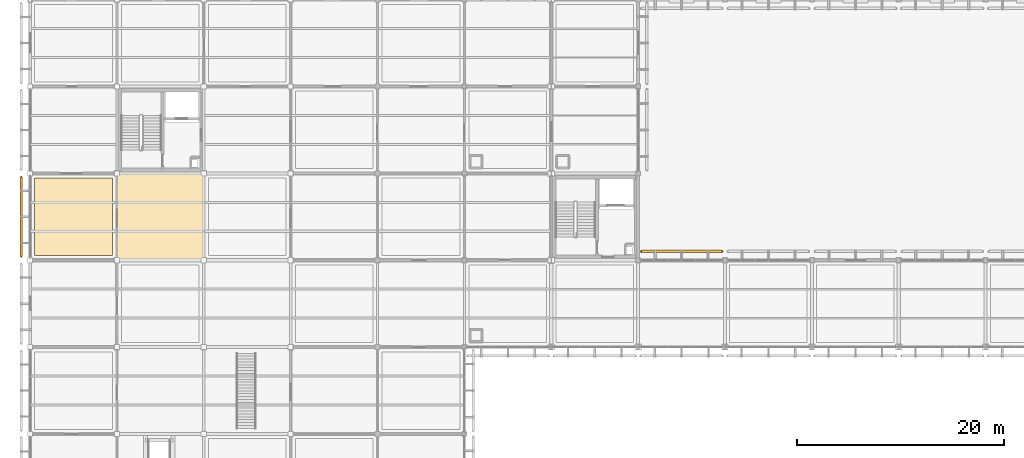
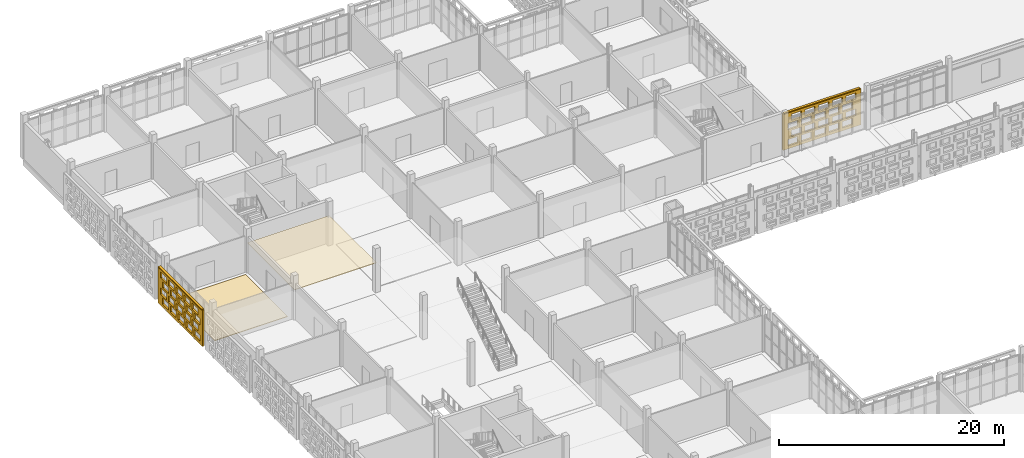
# One storey, part 161 of 203: 4 coverings, 2 shading devices, 40 openings.
"""IFC4 building model written with IfcOpenShell, lengths in metres."""

from ifc_helpers import new_model, si_unit, direction, frame, frame_2d, origin, origin_2d, place, context, subcontext, project, spatial, rectangle, extrude, material, layer, layer_set, type_object, element, save


model = new_model("IFC4")

# Units and contexts
model_context = context("Model", 3, precision=1e-05, world=origin(), true_north=direction((0.0, 1.0)))
body_context = subcontext(model_context, "Body", "Model", "MODEL_VIEW")
ifc_project = project(units=[si_unit("LENGTHUNIT", "METRE"), si_unit("AREAUNIT", "SQUARE_METRE"), si_unit("VOLUMEUNIT", "CUBIC_METRE"), si_unit("PLANEANGLEUNIT", "RADIAN"), si_unit("MASSUNIT", "GRAM", prefix="KILO")], contexts=[model_context])

# Site, building, storey
site_placement = place(None, origin())
site = spatial("IfcSite", under=ifc_project, at=site_placement, CompositionType="ELEMENT")
building_placement = place(site_placement, origin())
building = spatial("IfcBuilding", under=site, at=building_placement, Name="Varnapada Polytechnic", CompositionType="ELEMENT")
storey_placement = place(building_placement, frame((0.0, 0.0, 4.800048828125)))
storey = spatial("IfcBuildingStorey", under=building, at=storey_placement, Name="L01", CompositionType="ELEMENT", Elevation=4.800048828125)

# Coverings
ifc_material_1 = material(Name="Anti-Static Raised Laboratory Flooring")
ifc_layer_1 = layer(ifc_material_1, 0.06005859375)
ifc_layer_set_1 = layer_set([ifc_layer_1], Name="Anti-Static Raised Laboratory Flooring")
covering_type_1 = type_object("IfcCoveringType", Name="Floor Finish FLR-02", PredefinedType="FLOORING", material=ifc_layer_set_1)
covering_1_placement = place(storey_placement, frame((4.199951171875, 96.60009765625, 0.0), z_axis=(0.0, 0.0, 1.0), x_axis=(1.0, 0.0, 0.0)))
element("IfcCovering", 1, at=covering_1_placement, inside=storey, type_object=covering_type_1, Name="L01 floor finish panel (1,12)", PredefinedType="FLOORING", context=body_context, shape_type="SweptSolid", body=[
    extrude(rectangle(XDim=7.5, YDim=7.5, at=origin_2d()), origin(), (0.0, 0.0, 1.0), 0.06005859375),
])
ifc_material_2 = material(Name="Deep Acoustic Auditorium Cloud Baffle")
ifc_layer_2 = layer(ifc_material_2, 0.06494140625)
ifc_layer_set_2 = layer_set([ifc_layer_2], Name="Deep Acoustic Auditorium Cloud Baffle")
covering_type_2 = type_object("IfcCoveringType", Name="Suspended Ceiling CLG-07", PredefinedType="CEILING", material=ifc_layer_set_2)
covering_2_placement = place(storey_placement, frame((12.60009765625, 96.60009765625, 3.017578125), z_axis=(0.0, 0.0, 1.0), x_axis=(1.0, 0.0, 0.0)))
element("IfcCovering", 2, at=covering_2_placement, inside=storey, type_object=covering_type_2, Name="L01 suspended acoustic ceiling (2,12)", PredefinedType="CEILING", context=body_context, shape_type="SweptSolid", body=[
    extrude(rectangle(XDim=8.419921875, YDim=8.419921875, at=origin_2d()), origin(), (0.0, 0.0, 1.0), 0.06494140625),
])

# Covering, openings
ifc_material_3 = material(Name="Earth-toned architectural terracotta screen block", Category="masonry")
ifc_layer_3 = layer(ifc_material_3, 0.1201171875)
ifc_layer_set_3 = layer_set([ifc_layer_3], Name="Earth-toned architectural terracotta screen block")
covering_type_3 = type_object("IfcCoveringType", Name="Terracotta Screen Cladding CLD-01", PredefinedType="CLADDING", material=ifc_layer_set_3)
covering_3_placement = place(storey_placement, frame((-0.85009765625, 92.659912109375, 0.0), z_axis=(0.0, 0.0, 1.0), x_axis=(0.0, 1.0, 0.0)))
covering_3 = element("IfcCovering", 3, at=covering_3_placement, inside=storey, type_object=covering_type_3, Name="L01 perforated terracotta block screen (8)", PredefinedType="CLADDING", context=body_context, shape_type="SweptSolid", body=[
    extrude(rectangle(XDim=7.880126953125, YDim=0.179931640625, at=frame_2d((3.93994140625, 0.0))), origin(), (0.0, 0.0, 1.0), 3.919921875),
])
opening_1_placement = place(covering_3_placement, frame((0.43994140625, 0.0, 0.313720703125)))
element("IfcOpeningElement", 4, at=opening_1_placement, cuts=covering_3, Name="Screen perforation TBS-L01-007.1", PredefinedType="OPENING", context=body_context, shape_type="SweptSolid", body=[
    extrude(rectangle(XDim=1.0400390625, YDim=0.679931640625, at=frame_2d((0.52001953125, 0.33984375))), frame((0.0, 0.099853515625, 0.0), z_axis=(0.0, -1.0, 0.0), x_axis=(1.0, 0.0, 0.0)), (0.0, 0.0, 1.0), 0.199951171875),
])
opening_2_placement = place(covering_3_placement, frame((1.840087890625, 0.0, 0.313720703125)))
element("IfcOpeningElement", 5, at=opening_2_placement, cuts=covering_3, Name="Screen perforation TBS-L01-007.2", PredefinedType="OPENING", context=body_context, shape_type="SweptSolid", body=[
    extrude(rectangle(XDim=1.0400390625, YDim=0.679931640625, at=frame_2d((0.52001953125, 0.33984375))), frame((0.0, 0.099853515625, 0.0), z_axis=(0.0, -1.0, 0.0), x_axis=(1.0, 0.0, 0.0)), (0.0, 0.0, 1.0), 0.199951171875),
])
opening_3_placement = place(covering_3_placement, frame((3.239990234375, 0.0, 0.313720703125)))
element("IfcOpeningElement", 6, at=opening_3_placement, cuts=covering_3, Name="Screen perforation TBS-L01-007.3", PredefinedType="OPENING", context=body_context, shape_type="SweptSolid", body=[
    extrude(rectangle(XDim=1.0400390625, YDim=0.679931640625, at=frame_2d((0.52001953125, 0.33984375))), frame((0.0, 0.099853515625, 0.0), z_axis=(0.0, -1.0, 0.0), x_axis=(1.0, 0.0, 0.0)), (0.0, 0.0, 1.0), 0.199951171875),
])
opening_4_placement = place(covering_3_placement, frame((4.639892578125, 0.0, 0.313720703125)))
element("IfcOpeningElement", 7, at=opening_4_placement, cuts=covering_3, Name="Screen perforation TBS-L01-007.4", PredefinedType="OPENING", context=body_context, shape_type="SweptSolid", body=[
    extrude(rectangle(XDim=1.0400390625, YDim=0.679931640625, at=frame_2d((0.52001953125, 0.33984375))), frame((0.0, 0.099853515625, 0.0), z_axis=(0.0, -1.0, 0.0), x_axis=(1.0, 0.0, 0.0)), (0.0, 0.0, 1.0), 0.199951171875),
])
opening_5_placement = place(covering_3_placement, frame((6.0400390625, 0.0, 0.313720703125)))
element("IfcOpeningElement", 8, at=opening_5_placement, cuts=covering_3, Name="Screen perforation TBS-L01-007.5", PredefinedType="OPENING", context=body_context, shape_type="SweptSolid", body=[
    extrude(rectangle(XDim=1.0400390625, YDim=0.679931640625, at=frame_2d((0.52001953125, 0.33984375))), frame((0.0, 0.099853515625, 0.0), z_axis=(0.0, -1.0, 0.0), x_axis=(1.0, 0.0, 0.0)), (0.0, 0.0, 1.0), 0.199951171875),
])
opening_6_placement = place(covering_3_placement, frame((0.800048828125, 0.0, 1.195556640625)))
element("IfcOpeningElement", 9, at=opening_6_placement, cuts=covering_3, Name="Screen perforation TBS-L01-007.6", PredefinedType="OPENING", context=body_context, shape_type="SweptSolid", body=[
    extrude(rectangle(XDim=1.0400390625, YDim=0.679931640625, at=frame_2d((0.52001953125, 0.33984375))), frame((0.0, 0.099853515625, 0.0), z_axis=(0.0, -1.0, 0.0), x_axis=(1.0, 0.0, 0.0)), (0.0, 0.0, 1.0), 0.199951171875),
])
opening_7_placement = place(covering_3_placement, frame((2.199951171875, 0.0, 1.195556640625)))
element("IfcOpeningElement", 10, at=opening_7_placement, cuts=covering_3, Name="Screen perforation TBS-L01-007.7", PredefinedType="OPENING", context=body_context, shape_type="SweptSolid", body=[
    extrude(rectangle(XDim=1.0400390625, YDim=0.679931640625, at=frame_2d((0.52001953125, 0.33984375))), frame((0.0, 0.099853515625, 0.0), z_axis=(0.0, -1.0, 0.0), x_axis=(1.0, 0.0, 0.0)), (0.0, 0.0, 1.0), 0.199951171875),
])
opening_8_placement = place(covering_3_placement, frame((3.60009765625, 0.0, 1.195556640625)))
element("IfcOpeningElement", 11, at=opening_8_placement, cuts=covering_3, Name="Screen perforation TBS-L01-007.8", PredefinedType="OPENING", context=body_context, shape_type="SweptSolid", body=[
    extrude(rectangle(XDim=1.0400390625, YDim=0.679931640625, at=frame_2d((0.52001953125, 0.33984375))), frame((0.0, 0.099853515625, 0.0), z_axis=(0.0, -1.0, 0.0), x_axis=(1.0, 0.0, 0.0)), (0.0, 0.0, 1.0), 0.199951171875),
])
opening_9_placement = place(covering_3_placement, frame((5.0, 0.0, 1.195556640625)))
element("IfcOpeningElement", 12, at=opening_9_placement, cuts=covering_3, Name="Screen perforation TBS-L01-007.9", PredefinedType="OPENING", context=body_context, shape_type="SweptSolid", body=[
    extrude(rectangle(XDim=1.0400390625, YDim=0.679931640625, at=frame_2d((0.52001953125, 0.33984375))), frame((0.0, 0.099853515625, 0.0), z_axis=(0.0, -1.0, 0.0), x_axis=(1.0, 0.0, 0.0)), (0.0, 0.0, 1.0), 0.199951171875),
])
opening_10_placement = place(covering_3_placement, frame((6.39990234375, 0.0, 1.195556640625)))
element("IfcOpeningElement", 13, at=opening_10_placement, cuts=covering_3, Name="Screen perforation TBS-L01-007.10", PredefinedType="OPENING", context=body_context, shape_type="SweptSolid", body=[
    extrude(rectangle(XDim=1.0400390625, YDim=0.679931640625, at=frame_2d((0.52001953125, 0.33984375))), frame((0.0, 0.099853515625, 0.0), z_axis=(0.0, -1.0, 0.0), x_axis=(1.0, 0.0, 0.0)), (0.0, 0.0, 1.0), 0.199951171875),
])
opening_11_placement = place(covering_3_placement, frame((0.43994140625, 0.0, 2.07763671875)))
element("IfcOpeningElement", 14, at=opening_11_placement, cuts=covering_3, Name="Screen perforation TBS-L01-007.11", PredefinedType="OPENING", context=body_context, shape_type="SweptSolid", body=[
    extrude(rectangle(XDim=1.0400390625, YDim=0.679931640625, at=frame_2d((0.52001953125, 0.33984375))), frame((0.0, 0.099853515625, 0.0), z_axis=(0.0, -1.0, 0.0), x_axis=(1.0, 0.0, 0.0)), (0.0, 0.0, 1.0), 0.199951171875),
])
opening_12_placement = place(covering_3_placement, frame((1.840087890625, 0.0, 2.07763671875)))
element("IfcOpeningElement", 15, at=opening_12_placement, cuts=covering_3, Name="Screen perforation TBS-L01-007.12", PredefinedType="OPENING", context=body_context, shape_type="SweptSolid", body=[
    extrude(rectangle(XDim=1.0400390625, YDim=0.679931640625, at=frame_2d((0.52001953125, 0.33984375))), frame((0.0, 0.099853515625, 0.0), z_axis=(0.0, -1.0, 0.0), x_axis=(1.0, 0.0, 0.0)), (0.0, 0.0, 1.0), 0.199951171875),
])
opening_13_placement = place(covering_3_placement, frame((3.239990234375, 0.0, 2.07763671875)))
element("IfcOpeningElement", 16, at=opening_13_placement, cuts=covering_3, Name="Screen perforation TBS-L01-007.13", PredefinedType="OPENING", context=body_context, shape_type="SweptSolid", body=[
    extrude(rectangle(XDim=1.0400390625, YDim=0.679931640625, at=frame_2d((0.52001953125, 0.33984375))), frame((0.0, 0.099853515625, 0.0), z_axis=(0.0, -1.0, 0.0), x_axis=(1.0, 0.0, 0.0)), (0.0, 0.0, 1.0), 0.199951171875),
])
opening_14_placement = place(covering_3_placement, frame((4.639892578125, 0.0, 2.07763671875)))
element("IfcOpeningElement", 17, at=opening_14_placement, cuts=covering_3, Name="Screen perforation TBS-L01-007.14", PredefinedType="OPENING", context=body_context, shape_type="SweptSolid", body=[
    extrude(rectangle(XDim=1.0400390625, YDim=0.679931640625, at=frame_2d((0.52001953125, 0.33984375))), frame((0.0, 0.099853515625, 0.0), z_axis=(0.0, -1.0, 0.0), x_axis=(1.0, 0.0, 0.0)), (0.0, 0.0, 1.0), 0.199951171875),
])
opening_15_placement = place(covering_3_placement, frame((6.0400390625, 0.0, 2.07763671875)))
element("IfcOpeningElement", 18, at=opening_15_placement, cuts=covering_3, Name="Screen perforation TBS-L01-007.15", PredefinedType="OPENING", context=body_context, shape_type="SweptSolid", body=[
    extrude(rectangle(XDim=1.0400390625, YDim=0.679931640625, at=frame_2d((0.52001953125, 0.33984375))), frame((0.0, 0.099853515625, 0.0), z_axis=(0.0, -1.0, 0.0), x_axis=(1.0, 0.0, 0.0)), (0.0, 0.0, 1.0), 0.199951171875),
])
opening_16_placement = place(covering_3_placement, frame((0.800048828125, 0.0, 2.959716796875)))
element("IfcOpeningElement", 19, at=opening_16_placement, cuts=covering_3, Name="Screen perforation TBS-L01-007.16", PredefinedType="OPENING", context=body_context, shape_type="SweptSolid", body=[
    extrude(rectangle(XDim=1.0400390625, YDim=0.679931640625, at=frame_2d((0.52001953125, 0.33984375))), frame((0.0, 0.099853515625, 0.0), z_axis=(0.0, -1.0, 0.0), x_axis=(1.0, 0.0, 0.0)), (0.0, 0.0, 1.0), 0.199951171875),
])
opening_17_placement = place(covering_3_placement, frame((2.199951171875, 0.0, 2.959716796875)))
element("IfcOpeningElement", 20, at=opening_17_placement, cuts=covering_3, Name="Screen perforation TBS-L01-007.17", PredefinedType="OPENING", context=body_context, shape_type="SweptSolid", body=[
    extrude(rectangle(XDim=1.0400390625, YDim=0.679931640625, at=frame_2d((0.52001953125, 0.33984375))), frame((0.0, 0.099853515625, 0.0), z_axis=(0.0, -1.0, 0.0), x_axis=(1.0, 0.0, 0.0)), (0.0, 0.0, 1.0), 0.199951171875),
])
opening_18_placement = place(covering_3_placement, frame((3.60009765625, 0.0, 2.959716796875)))
element("IfcOpeningElement", 21, at=opening_18_placement, cuts=covering_3, Name="Screen perforation TBS-L01-007.18", PredefinedType="OPENING", context=body_context, shape_type="SweptSolid", body=[
    extrude(rectangle(XDim=1.0400390625, YDim=0.679931640625, at=frame_2d((0.52001953125, 0.33984375))), frame((0.0, 0.099853515625, 0.0), z_axis=(0.0, -1.0, 0.0), x_axis=(1.0, 0.0, 0.0)), (0.0, 0.0, 1.0), 0.199951171875),
])
opening_19_placement = place(covering_3_placement, frame((5.0, 0.0, 2.959716796875)))
element("IfcOpeningElement", 22, at=opening_19_placement, cuts=covering_3, Name="Screen perforation TBS-L01-007.19", PredefinedType="OPENING", context=body_context, shape_type="SweptSolid", body=[
    extrude(rectangle(XDim=1.0400390625, YDim=0.679931640625, at=frame_2d((0.52001953125, 0.33984375))), frame((0.0, 0.099853515625, 0.0), z_axis=(0.0, -1.0, 0.0), x_axis=(1.0, 0.0, 0.0)), (0.0, 0.0, 1.0), 0.199951171875),
])
opening_20_placement = place(covering_3_placement, frame((6.39990234375, 0.0, 2.959716796875)))
element("IfcOpeningElement", 23, at=opening_20_placement, cuts=covering_3, Name="Screen perforation TBS-L01-007.20", PredefinedType="OPENING", context=body_context, shape_type="SweptSolid", body=[
    extrude(rectangle(XDim=1.0400390625, YDim=0.679931640625, at=frame_2d((0.52001953125, 0.33984375))), frame((0.0, 0.099853515625, 0.0), z_axis=(0.0, -1.0, 0.0), x_axis=(1.0, 0.0, 0.0)), (0.0, 0.0, 1.0), 0.199951171875),
])

covering_4_placement = place(storey_placement, frame((59.010009765625, 93.25, 0.0), z_axis=(0.0, 0.0, 1.0), x_axis=(1.0, 0.0, 0.0)))
covering_4 = element("IfcCovering", 24, at=covering_4_placement, inside=storey, type_object=covering_type_3, Name="L01 perforated terracotta block screen (57)", PredefinedType="CLADDING", context=body_context, shape_type="SweptSolid", body=[
    extrude(rectangle(XDim=7.97998046875, YDim=0.179931640625, at=frame_2d((3.989990234375, 0.0))), origin(), (0.0, 0.0, 1.0), 3.919921875),
])
opening_21_placement = place(covering_4_placement, frame((0.489990234375, 0.0, 0.313720703125)))
element("IfcOpeningElement", 25, at=opening_21_placement, cuts=covering_4, Name="Screen perforation TBS-L01-056.1", PredefinedType="OPENING", context=body_context, shape_type="SweptSolid", body=[
    extrude(rectangle(XDim=1.0400390625, YDim=0.679931640625, at=frame_2d((0.52001953125, 0.33984375))), frame((0.0, 0.099853515625, 0.0), z_axis=(0.0, -1.0, 0.0), x_axis=(1.0, 0.0, 0.0)), (0.0, 0.0, 1.0), 0.199951171875),
])
opening_22_placement = place(covering_4_placement, frame((1.889892578125, 0.0, 0.313720703125)))
element("IfcOpeningElement", 26, at=opening_22_placement, cuts=covering_4, Name="Screen perforation TBS-L01-056.2", PredefinedType="OPENING", context=body_context, shape_type="SweptSolid", body=[
    extrude(rectangle(XDim=1.0400390625, YDim=0.679931640625, at=frame_2d((0.52001953125, 0.33984375))), frame((0.0, 0.099853515625, 0.0), z_axis=(0.0, -1.0, 0.0), x_axis=(1.0, 0.0, 0.0)), (0.0, 0.0, 1.0), 0.199951171875),
])
opening_23_placement = place(covering_4_placement, frame((3.2900390625, 0.0, 0.313720703125)))
element("IfcOpeningElement", 27, at=opening_23_placement, cuts=covering_4, Name="Screen perforation TBS-L01-056.3", PredefinedType="OPENING", context=body_context, shape_type="SweptSolid", body=[
    extrude(rectangle(XDim=1.0400390625, YDim=0.679931640625, at=frame_2d((0.52001953125, 0.33984375))), frame((0.0, 0.099853515625, 0.0), z_axis=(0.0, -1.0, 0.0), x_axis=(1.0, 0.0, 0.0)), (0.0, 0.0, 1.0), 0.199951171875),
])
opening_24_placement = place(covering_4_placement, frame((4.68994140625, 0.0, 0.313720703125)))
element("IfcOpeningElement", 28, at=opening_24_placement, cuts=covering_4, Name="Screen perforation TBS-L01-056.4", PredefinedType="OPENING", context=body_context, shape_type="SweptSolid", body=[
    extrude(rectangle(XDim=1.0400390625, YDim=0.679931640625, at=frame_2d((0.52001953125, 0.33984375))), frame((0.0, 0.099853515625, 0.0), z_axis=(0.0, -1.0, 0.0), x_axis=(1.0, 0.0, 0.0)), (0.0, 0.0, 1.0), 0.199951171875),
])
opening_25_placement = place(covering_4_placement, frame((6.090087890625, 0.0, 0.313720703125)))
element("IfcOpeningElement", 29, at=opening_25_placement, cuts=covering_4, Name="Screen perforation TBS-L01-056.5", PredefinedType="OPENING", context=body_context, shape_type="SweptSolid", body=[
    extrude(rectangle(XDim=1.0400390625, YDim=0.679931640625, at=frame_2d((0.52001953125, 0.33984375))), frame((0.0, 0.099853515625, 0.0), z_axis=(0.0, -1.0, 0.0), x_axis=(1.0, 0.0, 0.0)), (0.0, 0.0, 1.0), 0.199951171875),
])
opening_26_placement = place(covering_4_placement, frame((0.85009765625, 0.0, 1.195556640625)))
element("IfcOpeningElement", 30, at=opening_26_placement, cuts=covering_4, Name="Screen perforation TBS-L01-056.6", PredefinedType="OPENING", context=body_context, shape_type="SweptSolid", body=[
    extrude(rectangle(XDim=1.0400390625, YDim=0.679931640625, at=frame_2d((0.52001953125, 0.33984375))), frame((0.0, 0.099853515625, 0.0), z_axis=(0.0, -1.0, 0.0), x_axis=(1.0, 0.0, 0.0)), (0.0, 0.0, 1.0), 0.199951171875),
])
opening_27_placement = place(covering_4_placement, frame((2.25, 0.0, 1.195556640625)))
element("IfcOpeningElement", 31, at=opening_27_placement, cuts=covering_4, Name="Screen perforation TBS-L01-056.7", PredefinedType="OPENING", context=body_context, shape_type="SweptSolid", body=[
    extrude(rectangle(XDim=1.0400390625, YDim=0.679931640625, at=frame_2d((0.52001953125, 0.33984375))), frame((0.0, 0.099853515625, 0.0), z_axis=(0.0, -1.0, 0.0), x_axis=(1.0, 0.0, 0.0)), (0.0, 0.0, 1.0), 0.199951171875),
])
opening_28_placement = place(covering_4_placement, frame((3.64990234375, 0.0, 1.195556640625)))
element("IfcOpeningElement", 32, at=opening_28_placement, cuts=covering_4, Name="Screen perforation TBS-L01-056.8", PredefinedType="OPENING", context=body_context, shape_type="SweptSolid", body=[
    extrude(rectangle(XDim=1.0400390625, YDim=0.679931640625, at=frame_2d((0.52001953125, 0.33984375))), frame((0.0, 0.099853515625, 0.0), z_axis=(0.0, -1.0, 0.0), x_axis=(1.0, 0.0, 0.0)), (0.0, 0.0, 1.0), 0.199951171875),
])
opening_29_placement = place(covering_4_placement, frame((5.050048828125, 0.0, 1.195556640625)))
element("IfcOpeningElement", 33, at=opening_29_placement, cuts=covering_4, Name="Screen perforation TBS-L01-056.9", PredefinedType="OPENING", context=body_context, shape_type="SweptSolid", body=[
    extrude(rectangle(XDim=1.0400390625, YDim=0.679931640625, at=frame_2d((0.52001953125, 0.33984375))), frame((0.0, 0.099853515625, 0.0), z_axis=(0.0, -1.0, 0.0), x_axis=(1.0, 0.0, 0.0)), (0.0, 0.0, 1.0), 0.199951171875),
])
opening_30_placement = place(covering_4_placement, frame((6.449951171875, 0.0, 1.195556640625)))
element("IfcOpeningElement", 34, at=opening_30_placement, cuts=covering_4, Name="Screen perforation TBS-L01-056.10", PredefinedType="OPENING", context=body_context, shape_type="SweptSolid", body=[
    extrude(rectangle(XDim=1.0400390625, YDim=0.679931640625, at=frame_2d((0.52001953125, 0.33984375))), frame((0.0, 0.099853515625, 0.0), z_axis=(0.0, -1.0, 0.0), x_axis=(1.0, 0.0, 0.0)), (0.0, 0.0, 1.0), 0.199951171875),
])
opening_31_placement = place(covering_4_placement, frame((0.489990234375, 0.0, 2.07763671875)))
element("IfcOpeningElement", 35, at=opening_31_placement, cuts=covering_4, Name="Screen perforation TBS-L01-056.11", PredefinedType="OPENING", context=body_context, shape_type="SweptSolid", body=[
    extrude(rectangle(XDim=1.0400390625, YDim=0.679931640625, at=frame_2d((0.52001953125, 0.33984375))), frame((0.0, 0.099853515625, 0.0), z_axis=(0.0, -1.0, 0.0), x_axis=(1.0, 0.0, 0.0)), (0.0, 0.0, 1.0), 0.199951171875),
])
opening_32_placement = place(covering_4_placement, frame((1.889892578125, 0.0, 2.07763671875)))
element("IfcOpeningElement", 36, at=opening_32_placement, cuts=covering_4, Name="Screen perforation TBS-L01-056.12", PredefinedType="OPENING", context=body_context, shape_type="SweptSolid", body=[
    extrude(rectangle(XDim=1.0400390625, YDim=0.679931640625, at=frame_2d((0.52001953125, 0.33984375))), frame((0.0, 0.099853515625, 0.0), z_axis=(0.0, -1.0, 0.0), x_axis=(1.0, 0.0, 0.0)), (0.0, 0.0, 1.0), 0.199951171875),
])
opening_33_placement = place(covering_4_placement, frame((3.2900390625, 0.0, 2.07763671875)))
element("IfcOpeningElement", 37, at=opening_33_placement, cuts=covering_4, Name="Screen perforation TBS-L01-056.13", PredefinedType="OPENING", context=body_context, shape_type="SweptSolid", body=[
    extrude(rectangle(XDim=1.0400390625, YDim=0.679931640625, at=frame_2d((0.52001953125, 0.33984375))), frame((0.0, 0.099853515625, 0.0), z_axis=(0.0, -1.0, 0.0), x_axis=(1.0, 0.0, 0.0)), (0.0, 0.0, 1.0), 0.199951171875),
])
opening_34_placement = place(covering_4_placement, frame((4.68994140625, 0.0, 2.07763671875)))
element("IfcOpeningElement", 38, at=opening_34_placement, cuts=covering_4, Name="Screen perforation TBS-L01-056.14", PredefinedType="OPENING", context=body_context, shape_type="SweptSolid", body=[
    extrude(rectangle(XDim=1.0400390625, YDim=0.679931640625, at=frame_2d((0.52001953125, 0.33984375))), frame((0.0, 0.099853515625, 0.0), z_axis=(0.0, -1.0, 0.0), x_axis=(1.0, 0.0, 0.0)), (0.0, 0.0, 1.0), 0.199951171875),
])
opening_35_placement = place(covering_4_placement, frame((6.090087890625, 0.0, 2.07763671875)))
element("IfcOpeningElement", 39, at=opening_35_placement, cuts=covering_4, Name="Screen perforation TBS-L01-056.15", PredefinedType="OPENING", context=body_context, shape_type="SweptSolid", body=[
    extrude(rectangle(XDim=1.0400390625, YDim=0.679931640625, at=frame_2d((0.52001953125, 0.33984375))), frame((0.0, 0.099853515625, 0.0), z_axis=(0.0, -1.0, 0.0), x_axis=(1.0, 0.0, 0.0)), (0.0, 0.0, 1.0), 0.199951171875),
])
opening_36_placement = place(covering_4_placement, frame((0.85009765625, 0.0, 2.959716796875)))
element("IfcOpeningElement", 40, at=opening_36_placement, cuts=covering_4, Name="Screen perforation TBS-L01-056.16", PredefinedType="OPENING", context=body_context, shape_type="SweptSolid", body=[
    extrude(rectangle(XDim=1.0400390625, YDim=0.679931640625, at=frame_2d((0.52001953125, 0.33984375))), frame((0.0, 0.099853515625, 0.0), z_axis=(0.0, -1.0, 0.0), x_axis=(1.0, 0.0, 0.0)), (0.0, 0.0, 1.0), 0.199951171875),
])
opening_37_placement = place(covering_4_placement, frame((2.25, 0.0, 2.959716796875)))
element("IfcOpeningElement", 41, at=opening_37_placement, cuts=covering_4, Name="Screen perforation TBS-L01-056.17", PredefinedType="OPENING", context=body_context, shape_type="SweptSolid", body=[
    extrude(rectangle(XDim=1.0400390625, YDim=0.679931640625, at=frame_2d((0.52001953125, 0.33984375))), frame((0.0, 0.099853515625, 0.0), z_axis=(0.0, -1.0, 0.0), x_axis=(1.0, 0.0, 0.0)), (0.0, 0.0, 1.0), 0.199951171875),
])
opening_38_placement = place(covering_4_placement, frame((3.64990234375, 0.0, 2.959716796875)))
element("IfcOpeningElement", 42, at=opening_38_placement, cuts=covering_4, Name="Screen perforation TBS-L01-056.18", PredefinedType="OPENING", context=body_context, shape_type="SweptSolid", body=[
    extrude(rectangle(XDim=1.0400390625, YDim=0.679931640625, at=frame_2d((0.52001953125, 0.33984375))), frame((0.0, 0.099853515625, 0.0), z_axis=(0.0, -1.0, 0.0), x_axis=(1.0, 0.0, 0.0)), (0.0, 0.0, 1.0), 0.199951171875),
])
opening_39_placement = place(covering_4_placement, frame((5.050048828125, 0.0, 2.959716796875)))
element("IfcOpeningElement", 43, at=opening_39_placement, cuts=covering_4, Name="Screen perforation TBS-L01-056.19", PredefinedType="OPENING", context=body_context, shape_type="SweptSolid", body=[
    extrude(rectangle(XDim=1.0400390625, YDim=0.679931640625, at=frame_2d((0.52001953125, 0.33984375))), frame((0.0, 0.099853515625, 0.0), z_axis=(0.0, -1.0, 0.0), x_axis=(1.0, 0.0, 0.0)), (0.0, 0.0, 1.0), 0.199951171875),
])
opening_40_placement = place(covering_4_placement, frame((6.449951171875, 0.0, 2.959716796875)))
element("IfcOpeningElement", 44, at=opening_40_placement, cuts=covering_4, Name="Screen perforation TBS-L01-056.20", PredefinedType="OPENING", context=body_context, shape_type="SweptSolid", body=[
    extrude(rectangle(XDim=1.0400390625, YDim=0.679931640625, at=frame_2d((0.52001953125, 0.33984375))), frame((0.0, 0.099853515625, 0.0), z_axis=(0.0, -1.0, 0.0), x_axis=(1.0, 0.0, 0.0)), (0.0, 0.0, 1.0), 0.199951171875),
])

# Shading devices
ifc_layer_4 = layer(ifc_material_3, 0.179931640625)
ifc_layer_set_4 = layer_set([ifc_layer_4], Name="Earth-toned architectural terracotta screen block")
shading_device_type = type_object("IfcShadingDeviceType", Name="Terracotta Screen SCR-02", PredefinedType="USERDEFINED", material=ifc_layer_set_4)
shading_device_1_placement = place(storey_placement, frame((-0.85009765625, 96.60009765625, 3.909912109375), z_axis=(0.0, 0.0, 1.0), x_axis=(0.0, 1.0, 0.0)))
element("IfcShadingDevice", 45, at=shading_device_1_placement, inside=storey, type_object=shading_device_type, Name="L01 perforated terracotta screen hood 91", ObjectType="SCREEN", PredefinedType="USERDEFINED", context=body_context, shape_type="SweptSolid", body=[
    extrude(rectangle(XDim=7.679931640625, YDim=0.239990234375, at=origin_2d()), origin(), (0.0, 0.0, 1.0), 0.10009765625),
])
shading_device_2_placement = place(storey_placement, frame((63.0, 93.25, 3.909912109375), z_axis=(0.0, 0.0, 1.0), x_axis=(1.0, 0.0, 0.0)))
element("IfcShadingDevice", 46, at=shading_device_2_placement, inside=storey, type_object=shading_device_type, Name="L01 perforated terracotta screen hood 136", ObjectType="SCREEN", PredefinedType="USERDEFINED", context=body_context, shape_type="SweptSolid", body=[
    extrude(rectangle(XDim=7.780029296875, YDim=0.239990234375, at=origin_2d()), origin(), (0.0, 0.0, 1.0), 0.10009765625),
])

save(model, "model.ifc")
